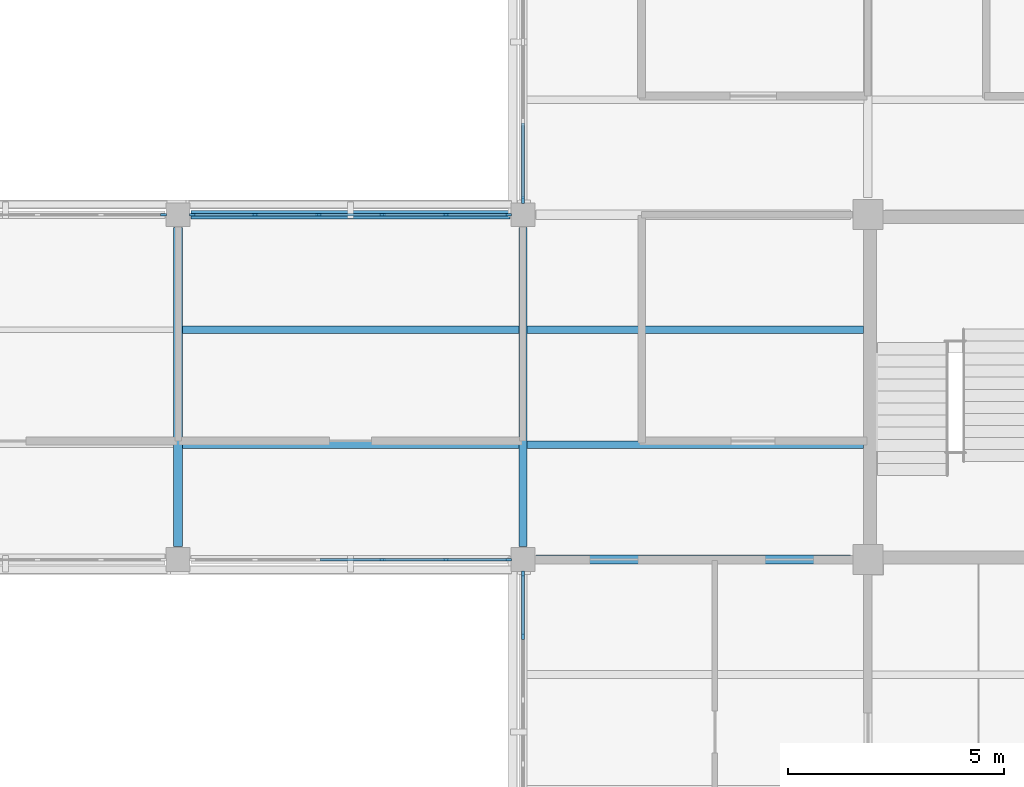
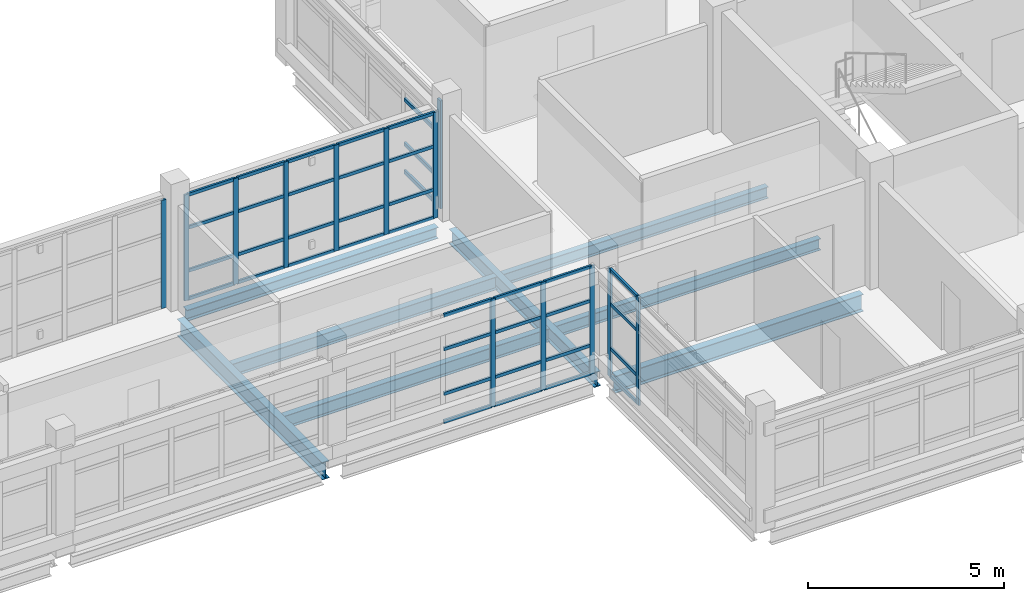
# One storey, part 16 of 107: 52 members, 8 beams, 5 elements without a shape of their own.
"""IFC4 building model written with IfcOpenShell, lengths in metres."""

from ifc_helpers import new_model, si_unit, derived_unit, direction, frame, origin, origin_2d, place, context, subcontext, project, spatial, rectangle, i_section, extrude, material, layer, layer_set, material_profile, profile_set, type_object, element, aggregate, save


model = new_model("IFC4")

# Units and contexts
model_context = context("Model", 3, precision=1e-05, world=origin(), true_north=direction((0.0, 1.0)))
body_context = subcontext(model_context, "Body", "Model", "MODEL_VIEW")
ifc_project = project(units=[si_unit("LENGTHUNIT", "METRE"), si_unit("AREAUNIT", "SQUARE_METRE"), si_unit("VOLUMEUNIT", "CUBIC_METRE"), si_unit("PLANEANGLEUNIT", "RADIAN"), si_unit("MASSUNIT", "GRAM", prefix="KILO"), derived_unit("THERMALTRANSMITTANCEUNIT", [(si_unit("MASSUNIT", "GRAM", prefix="KILO"), 1), (si_unit("TIMEUNIT", "SECOND"), -3), (si_unit("THERMODYNAMICTEMPERATUREUNIT", "KELVIN"), -1)])], contexts=[model_context])

# Site, building, storey
site_placement = place(None, origin())
site = spatial("IfcSite", under=ifc_project, at=site_placement, CompositionType="ELEMENT")
building_placement = place(site_placement, origin())
building = spatial("IfcBuilding", under=site, at=building_placement, Name="Veyamyaing Civic Hall", CompositionType="ELEMENT")
storey_placement = place(building_placement, frame((0.0, 0.0, 13.860107421875)))
storey = spatial("IfcBuildingStorey", under=building, at=storey_placement, Name="L03", CompositionType="ELEMENT", Elevation=13.860107421875)

# Beams
ifc_material_1 = material(Name="Steel ASTM A992", Category="steel")
ifc_material_profile_1 = material_profile(ifc_material_1, i_section(OverallWidth=0.208984375, OverallDepth=0.532958984375, WebThickness=0.01025390625, FlangeThickness=0.015625, FilletRadius=0.011962890625, at=origin_2d()), Name="W530X92")
ifc_profile_set_1 = profile_set([ifc_material_profile_1], Name="Steel ASTM A992")
beam_type_1 = type_object("IfcBeamType", Name="B-07", PredefinedType="BEAM", material=ifc_profile_set_1)
beam_1_placement = place(storey_placement, frame((56.300048828125, 48.0, -0.521728515625), z_axis=(1.0, 0.0, 0.0), x_axis=(0.0, 1.0, 0.0)))
element("IfcBeam", 1, at=beam_1_placement, inside=storey, type_object=beam_type_1, Name="Girder B-07 L03 Grid G 8-9", PredefinedType="BEAM", context=body_context, shape_type="SweptSolid", body=[
    extrude(i_section(OverallWidth=0.208984375, OverallDepth=0.532958984375, WebThickness=0.01025390625, FlangeThickness=0.015625, FilletRadius=0.011962890625, at=origin_2d()), origin(), (0.0, 0.0, 1.0), 7.300048828125),
])
beam_2_placement = place(storey_placement, frame((48.0, 48.300048828125, -0.521728515625), z_axis=(0.0, 1.0, 0.0), x_axis=(-1.0, 0.0, 0.0)))
element("IfcBeam", 2, at=beam_2_placement, inside=storey, type_object=beam_type_1, Name="Girder B-07 L03 Grid 7 G-H", PredefinedType="BEAM", context=body_context, shape_type="SweptSolid", body=[
    extrude(i_section(OverallWidth=0.208984375, OverallDepth=0.532958984375, WebThickness=0.01025390625, FlangeThickness=0.015625, FilletRadius=0.011962890625, at=origin_2d()), origin(), (0.0, 0.0, 1.0), 7.39990234375),
])
ifc_material_profile_2 = material_profile(ifc_material_1, i_section(OverallWidth=0.19189453125, OverallDepth=0.462890625, WebThickness=0.010498046875, FlangeThickness=0.017578125, FilletRadius=0.010009765625, at=origin_2d()), Name="W460X89")
ifc_profile_set_2 = profile_set([ifc_material_profile_2], Name="Steel ASTM A992")
beam_type_2 = type_object("IfcBeamType", Name="B-08", PredefinedType="BEAM", material=ifc_profile_set_2)
beam_3_placement = place(storey_placement, frame((56.0, 48.300048828125, -0.486572265625), z_axis=(0.0, 1.0, 0.0), x_axis=(-1.0, 0.0, 0.0)))
element("IfcBeam", 3, at=beam_3_placement, inside=storey, type_object=beam_type_2, Name="Girder B-08 L03 Grid 8 G-H", PredefinedType="BEAM", context=body_context, shape_type="SweptSolid", body=[
    extrude(i_section(OverallWidth=0.19189453125, OverallDepth=0.462890625, WebThickness=0.010498046875, FlangeThickness=0.017578125, FilletRadius=0.010009765625, at=origin_2d()), origin(), (0.0, 0.0, 1.0), 7.39990234375),
])
ifc_material_profile_3 = material_profile(ifc_material_1, i_section(OverallWidth=0.2041015625, OverallDepth=0.35009765625, WebThickness=0.0078125, FlangeThickness=0.01513671875, FilletRadius=0.010009765625, at=origin_2d()), Name="W360X72")
ifc_profile_set_3 = profile_set([ifc_material_profile_3], Name="Steel ASTM A992")
beam_type_3 = type_object("IfcBeamType", Name="B-11", PredefinedType="SPANDREL", material=ifc_profile_set_3)
beam_4_placement = place(storey_placement, frame((48.300048828125, 56.0, -0.43017578125), z_axis=(1.0, 0.0, 0.0), x_axis=(0.0, 1.0, 0.0)))
element("IfcBeam", 4, at=beam_4_placement, inside=storey, type_object=beam_type_3, Name="Girder B-11 L03 Grid H 7-8", PredefinedType="SPANDREL", context=body_context, shape_type="SweptSolid", body=[
    extrude(i_section(OverallWidth=0.2041015625, OverallDepth=0.35009765625, WebThickness=0.0078125, FlangeThickness=0.01513671875, FilletRadius=0.010009765625, at=origin_2d()), origin(), (0.0, 0.0, 1.0), 7.39990234375),
])

# Curtain wall, member
ifc_material_2 = material(Name="Anodised aluminium 6063-T6", Category="aluminium")
ifc_layer_1 = layer(ifc_material_2, 0.159912109375, Name="Anodised aluminium 6063-T6")
ifc_layer_set_1 = layer_set([ifc_layer_1], Name="Anodised aluminium 6063-T6")
curtain_wall_type_1 = type_object("IfcCurtainWallType", Name="CW-07", PredefinedType="NOTDEFINED", material=ifc_layer_set_1)
curtain_wall_1_placement = place(storey_placement, origin())
curtain_wall_1 = element("IfcCurtainWall", 5, at=curtain_wall_1_placement, inside=storey, type_object=curtain_wall_type_1, Name="Unitized curtain wall CW-07 L03 W 8.8", PredefinedType="NOTDEFINED")
ifc_material_profile_4 = material_profile(ifc_material_2, rectangle(XDim=0.06494140625, YDim=0.159912109375, at=origin_2d()), Name="ALU-MUL-65X160")
ifc_profile_set_4 = profile_set([ifc_material_profile_4], Name="Anodised aluminium 6063-T6")
member_type_1 = type_object("IfcMemberType", Name="CWM-01", PredefinedType="MULLION", material=ifc_profile_set_4)
member_1_placement = place(storey_placement, frame((56.0, 56.33740234375, 0.0), z_axis=(0.0, 0.0, 1.0), x_axis=(-1.0, 0.0, 0.0)))
member_1 = element("IfcMember", 6, at=member_1_placement, type_object=member_type_1, Name="CW-07 mullion 1", PredefinedType="MULLION", context=body_context, shape_type="SweptSolid", body=[
    extrude(rectangle(XDim=0.06494140625, YDim=0.159912109375, at=origin_2d()), origin(), (0.0, 0.0, 1.0), 3.364013671875),
])

ifc_layer_2 = layer(ifc_material_2, 0.139892578125, Name="Anodised aluminium 6063-T6")
ifc_layer_set_2 = layer_set([ifc_layer_2], Name="Anodised aluminium 6063-T6")
curtain_wall_type_2 = type_object("IfcCurtainWallType", Name="CW-04", PredefinedType="NOTDEFINED", material=ifc_layer_set_2)
curtain_wall_2_placement = place(storey_placement, origin())
curtain_wall_2 = element("IfcCurtainWall", 7, at=curtain_wall_2_placement, inside=storey, type_object=curtain_wall_type_2, Name="Unitized curtain wall CW-04 L03 N 6.7", PredefinedType="NOTDEFINED")
ifc_material_profile_5 = material_profile(ifc_material_2, rectangle(XDim=0.06005859375, YDim=0.139892578125, at=origin_2d()), Name="ALU-MUL-60X140")
ifc_profile_set_5 = profile_set([ifc_material_profile_5], Name="Anodised aluminium 6063-T6")
member_type_2 = type_object("IfcMemberType", Name="CWM-03", PredefinedType="MULLION", material=ifc_profile_set_5)
member_2_placement = place(storey_placement, frame((47.6650390625, 56.0, 0.0), z_axis=(0.0, 0.0, 1.0), x_axis=(0.0, 1.0, 0.0)))
member_2 = element("IfcMember", 8, at=member_2_placement, type_object=member_type_2, Name="CW-04 mullion 6", PredefinedType="MULLION", context=body_context, shape_type="SweptSolid", body=[
    extrude(rectangle(XDim=0.06005859375, YDim=0.139892578125, at=origin_2d()), origin(), (0.0, 0.0, 1.0), 3.366943359375),
])
aggregate(curtain_wall_2, [member_2])

# Curtain wall, members
curtain_wall_3_placement = place(storey_placement, origin())
curtain_wall_3 = element("IfcCurtainWall", 9, at=curtain_wall_3_placement, inside=storey, type_object=curtain_wall_type_2, Name="Unitized curtain wall CW-04 L03 S 7.7", PredefinedType="NOTDEFINED")
member_3_placement = place(storey_placement, frame((52.739013671875, 48.0, 0.0), z_axis=(0.0, 0.0, 1.0), x_axis=(0.0, 1.0, 0.0)))
member_3 = element("IfcMember", 10, at=member_3_placement, type_object=member_type_2, Name="CW-04 mullion 4", PredefinedType="MULLION", context=body_context, shape_type="SweptSolid", body=[
    extrude(rectangle(XDim=0.06005859375, YDim=0.139892578125, at=origin_2d()), origin(), (0.0, 0.0, 1.0), 3.366943359375),
])
member_4_placement = place(storey_placement, frame((54.217041015625, 48.0, 0.0), z_axis=(0.0, 0.0, 1.0), x_axis=(0.0, 1.0, 0.0)))
member_4 = element("IfcMember", 11, at=member_4_placement, type_object=member_type_2, Name="CW-04 mullion 5", PredefinedType="MULLION", context=body_context, shape_type="SweptSolid", body=[
    extrude(rectangle(XDim=0.06005859375, YDim=0.139892578125, at=origin_2d()), origin(), (0.0, 0.0, 1.0), 3.366943359375),
])
member_5_placement = place(storey_placement, frame((55.6650390625, 48.0, 0.0), z_axis=(0.0, 0.0, 1.0), x_axis=(0.0, 1.0, 0.0)))
member_5 = element("IfcMember", 12, at=member_5_placement, type_object=member_type_2, Name="CW-04 mullion 6", PredefinedType="MULLION", context=body_context, shape_type="SweptSolid", body=[
    extrude(rectangle(XDim=0.06005859375, YDim=0.139892578125, at=origin_2d()), origin(), (0.0, 0.0, 1.0), 3.366943359375),
])

curtain_wall_4_placement = place(storey_placement, origin())
curtain_wall_4 = element("IfcCurtainWall", 13, at=curtain_wall_4_placement, inside=storey, type_object=curtain_wall_type_2, Name="Unitized curtain wall CW-04 L03 N 7.7", PredefinedType="NOTDEFINED")
member_6_placement = place(storey_placement, frame((48.3349609375, 56.0, 0.0), z_axis=(0.0, 0.0, 1.0), x_axis=(0.0, 1.0, 0.0)))
member_6 = element("IfcMember", 14, at=member_6_placement, type_object=member_type_2, Name="CW-04 mullion 1", PredefinedType="MULLION", context=body_context, shape_type="SweptSolid", body=[
    extrude(rectangle(XDim=0.06005859375, YDim=0.139892578125, at=origin_2d()), origin(), (0.0, 0.0, 1.0), 3.2998046875),
])
member_7_placement = place(storey_placement, frame((49.782958984375, 56.0, 0.0), z_axis=(0.0, 0.0, 1.0), x_axis=(0.0, 1.0, 0.0)))
member_7 = element("IfcMember", 15, at=member_7_placement, type_object=member_type_2, Name="CW-04 mullion 2", PredefinedType="MULLION", context=body_context, shape_type="SweptSolid", body=[
    extrude(rectangle(XDim=0.06005859375, YDim=0.139892578125, at=origin_2d()), origin(), (0.0, 0.0, 1.0), 3.2998046875),
])
member_8_placement = place(storey_placement, frame((51.260986328125, 56.0, 0.0), z_axis=(0.0, 0.0, 1.0), x_axis=(0.0, 1.0, 0.0)))
member_8 = element("IfcMember", 16, at=member_8_placement, type_object=member_type_2, Name="CW-04 mullion 3", PredefinedType="MULLION", context=body_context, shape_type="SweptSolid", body=[
    extrude(rectangle(XDim=0.06005859375, YDim=0.139892578125, at=origin_2d()), origin(), (0.0, 0.0, 1.0), 3.2998046875),
])
member_9_placement = place(storey_placement, frame((52.739013671875, 56.0, 0.0), z_axis=(0.0, 0.0, 1.0), x_axis=(0.0, 1.0, 0.0)))
member_9 = element("IfcMember", 17, at=member_9_placement, type_object=member_type_2, Name="CW-04 mullion 4", PredefinedType="MULLION", context=body_context, shape_type="SweptSolid", body=[
    extrude(rectangle(XDim=0.06005859375, YDim=0.139892578125, at=origin_2d()), origin(), (0.0, 0.0, 1.0), 3.2998046875),
])
member_10_placement = place(storey_placement, frame((54.217041015625, 56.0, 0.0), z_axis=(0.0, 0.0, 1.0), x_axis=(0.0, 1.0, 0.0)))
member_10 = element("IfcMember", 18, at=member_10_placement, type_object=member_type_2, Name="CW-04 mullion 5", PredefinedType="MULLION", context=body_context, shape_type="SweptSolid", body=[
    extrude(rectangle(XDim=0.06005859375, YDim=0.139892578125, at=origin_2d()), origin(), (0.0, 0.0, 1.0), 3.2998046875),
])
member_11_placement = place(storey_placement, frame((55.6650390625, 56.0, 0.0), z_axis=(0.0, 0.0, 1.0), x_axis=(0.0, 1.0, 0.0)))
member_11 = element("IfcMember", 19, at=member_11_placement, type_object=member_type_2, Name="CW-04 mullion 6", PredefinedType="MULLION", context=body_context, shape_type="SweptSolid", body=[
    extrude(rectangle(XDim=0.06005859375, YDim=0.139892578125, at=origin_2d()), origin(), (0.0, 0.0, 1.0), 3.2998046875),
])

curtain_wall_5_placement = place(storey_placement, origin())
curtain_wall_5 = element("IfcCurtainWall", 20, at=curtain_wall_5_placement, inside=storey, type_object=curtain_wall_type_2, Name="Unitized curtain wall CW-04 L03 W 8.6", PredefinedType="NOTDEFINED")
member_12_placement = place(storey_placement, frame((56.0, 46.217041015625, 0.0), z_axis=(0.0, 0.0, 1.0), x_axis=(-1.0, 0.0, 0.0)))
member_12 = element("IfcMember", 21, at=member_12_placement, type_object=member_type_2, Name="CW-04 mullion 5", PredefinedType="MULLION", context=body_context, shape_type="SweptSolid", body=[
    extrude(rectangle(XDim=0.06005859375, YDim=0.139892578125, at=origin_2d()), origin(), (0.0, 0.0, 1.0), 3.366943359375),
])
member_13_placement = place(storey_placement, frame((56.0, 47.6650390625, 0.0), z_axis=(0.0, 0.0, 1.0), x_axis=(-1.0, 0.0, 0.0)))
member_13 = element("IfcMember", 22, at=member_13_placement, type_object=member_type_2, Name="CW-04 mullion 6", PredefinedType="MULLION", context=body_context, shape_type="SweptSolid", body=[
    extrude(rectangle(XDim=0.06005859375, YDim=0.139892578125, at=origin_2d()), origin(), (0.0, 0.0, 1.0), 3.366943359375),
])

# Member
ifc_material_profile_6 = material_profile(ifc_material_2, rectangle(XDim=0.06494140625, YDim=0.1201171875, at=origin_2d()), Name="ALU-TRN-65X120")
ifc_profile_set_6 = profile_set([ifc_material_profile_6], Name="Anodised aluminium 6063-T6")
member_type_3 = type_object("IfcMemberType", Name="CWT-01", PredefinedType="USERDEFINED", material=ifc_profile_set_6)
member_14_placement = place(storey_placement, frame((56.0, 56.3701171875, 0.032470703125), z_axis=(0.0, 1.0, 0.0), x_axis=(-1.0, 0.0, 0.0)))
member_14 = element("IfcMember", 23, at=member_14_placement, type_object=member_type_3, Name="CW-07 transom 1.1", ObjectType="TRANSOM", PredefinedType="USERDEFINED", context=body_context, shape_type="SweptSolid", body=[
    extrude(rectangle(XDim=0.06494140625, YDim=0.1201171875, at=origin_2d()), origin(), (0.0, 0.0, 1.0), 1.75),
])

member_15_placement = place(storey_placement, frame((56.0, 56.3701171875, 0.89990234375), z_axis=(0.0, 1.0, 0.0), x_axis=(-1.0, 0.0, 0.0)))
member_15 = element("IfcMember", 24, at=member_15_placement, type_object=member_type_3, Name="CW-07 transom 1.2", ObjectType="TRANSOM", PredefinedType="USERDEFINED", context=body_context, shape_type="SweptSolid", body=[
    extrude(rectangle(XDim=0.06494140625, YDim=0.1201171875, at=origin_2d()), origin(), (0.0, 0.0, 1.0), 1.75),
])

member_16_placement = place(storey_placement, frame((56.0, 56.3701171875, 2.287353515625), z_axis=(0.0, 1.0, 0.0), x_axis=(-1.0, 0.0, 0.0)))
member_16 = element("IfcMember", 25, at=member_16_placement, type_object=member_type_3, Name="CW-07 transom 1.3", ObjectType="TRANSOM", PredefinedType="USERDEFINED", context=body_context, shape_type="SweptSolid", body=[
    extrude(rectangle(XDim=0.06494140625, YDim=0.1201171875, at=origin_2d()), origin(), (0.0, 0.0, 1.0), 1.75),
])

aggregate(curtain_wall_1, [member_1, member_14, member_15, member_16])

ifc_material_profile_7 = material_profile(ifc_material_2, rectangle(XDim=0.06005859375, YDim=0.10009765625, at=origin_2d()), Name="ALU-TRN-60X100")
ifc_profile_set_7 = profile_set([ifc_material_profile_7], Name="Anodised aluminium 6063-T6")
member_type_4 = type_object("IfcMemberType", Name="CWT-03", PredefinedType="USERDEFINED", material=ifc_profile_set_7)
member_17_placement = place(storey_placement, frame((51.291015625, 48.0, 0.02978515625), z_axis=(1.0, 0.0, 0.0), x_axis=(0.0, 1.0, 0.0)))
member_17 = element("IfcMember", 26, at=member_17_placement, type_object=member_type_4, Name="CW-04 transom 3.1", ObjectType="TRANSOM", PredefinedType="USERDEFINED", context=body_context, shape_type="SweptSolid", body=[
    extrude(rectangle(XDim=0.06005859375, YDim=0.10009765625, at=origin_2d()), origin(), (0.0, 0.0, 1.0), 1.41796875),
])

member_18_placement = place(storey_placement, frame((51.291015625, 48.0, 0.89990234375), z_axis=(1.0, 0.0, 0.0), x_axis=(0.0, 1.0, 0.0)))
member_18 = element("IfcMember", 27, at=member_18_placement, type_object=member_type_4, Name="CW-04 transom 3.2", ObjectType="TRANSOM", PredefinedType="USERDEFINED", context=body_context, shape_type="SweptSolid", body=[
    extrude(rectangle(XDim=0.06005859375, YDim=0.10009765625, at=origin_2d()), origin(), (0.0, 0.0, 1.0), 1.41796875),
])

member_19_placement = place(storey_placement, frame((51.291015625, 48.0, 2.28955078125), z_axis=(1.0, 0.0, 0.0), x_axis=(0.0, 1.0, 0.0)))
member_19 = element("IfcMember", 28, at=member_19_placement, type_object=member_type_4, Name="CW-04 transom 3.3", ObjectType="TRANSOM", PredefinedType="USERDEFINED", context=body_context, shape_type="SweptSolid", body=[
    extrude(rectangle(XDim=0.06005859375, YDim=0.10009765625, at=origin_2d()), origin(), (0.0, 0.0, 1.0), 1.41796875),
])

member_20_placement = place(storey_placement, frame((51.291015625, 48.0, 3.3369140625), z_axis=(1.0, 0.0, 0.0), x_axis=(0.0, 1.0, 0.0)))
member_20 = element("IfcMember", 29, at=member_20_placement, type_object=member_type_4, Name="CW-04 transom 3.4", ObjectType="TRANSOM", PredefinedType="USERDEFINED", context=body_context, shape_type="SweptSolid", body=[
    extrude(rectangle(XDim=0.06005859375, YDim=0.10009765625, at=origin_2d()), origin(), (0.0, 0.0, 1.0), 1.41796875),
])

member_21_placement = place(storey_placement, frame((52.76904296875, 48.0, 0.02978515625), z_axis=(1.0, 0.0, 0.0), x_axis=(0.0, 1.0, 0.0)))
member_21 = element("IfcMember", 30, at=member_21_placement, type_object=member_type_4, Name="CW-04 transom 4.1", ObjectType="TRANSOM", PredefinedType="USERDEFINED", context=body_context, shape_type="SweptSolid", body=[
    extrude(rectangle(XDim=0.06005859375, YDim=0.10009765625, at=origin_2d()), origin(), (0.0, 0.0, 1.0), 1.41796875),
])

member_22_placement = place(storey_placement, frame((52.76904296875, 48.0, 0.89990234375), z_axis=(1.0, 0.0, 0.0), x_axis=(0.0, 1.0, 0.0)))
member_22 = element("IfcMember", 31, at=member_22_placement, type_object=member_type_4, Name="CW-04 transom 4.2", ObjectType="TRANSOM", PredefinedType="USERDEFINED", context=body_context, shape_type="SweptSolid", body=[
    extrude(rectangle(XDim=0.06005859375, YDim=0.10009765625, at=origin_2d()), origin(), (0.0, 0.0, 1.0), 1.41796875),
])

member_23_placement = place(storey_placement, frame((52.76904296875, 48.0, 2.28955078125), z_axis=(1.0, 0.0, 0.0), x_axis=(0.0, 1.0, 0.0)))
member_23 = element("IfcMember", 32, at=member_23_placement, type_object=member_type_4, Name="CW-04 transom 4.3", ObjectType="TRANSOM", PredefinedType="USERDEFINED", context=body_context, shape_type="SweptSolid", body=[
    extrude(rectangle(XDim=0.06005859375, YDim=0.10009765625, at=origin_2d()), origin(), (0.0, 0.0, 1.0), 1.41796875),
])

member_24_placement = place(storey_placement, frame((52.76904296875, 48.0, 3.3369140625), z_axis=(1.0, 0.0, 0.0), x_axis=(0.0, 1.0, 0.0)))
member_24 = element("IfcMember", 33, at=member_24_placement, type_object=member_type_4, Name="CW-04 transom 4.4", ObjectType="TRANSOM", PredefinedType="USERDEFINED", context=body_context, shape_type="SweptSolid", body=[
    extrude(rectangle(XDim=0.06005859375, YDim=0.10009765625, at=origin_2d()), origin(), (0.0, 0.0, 1.0), 1.41796875),
])

member_25_placement = place(storey_placement, frame((54.2470703125, 48.0, 0.02978515625), z_axis=(1.0, 0.0, 0.0), x_axis=(0.0, 1.0, 0.0)))
member_25 = element("IfcMember", 34, at=member_25_placement, type_object=member_type_4, Name="CW-04 transom 5.1", ObjectType="TRANSOM", PredefinedType="USERDEFINED", context=body_context, shape_type="SweptSolid", body=[
    extrude(rectangle(XDim=0.06005859375, YDim=0.10009765625, at=origin_2d()), origin(), (0.0, 0.0, 1.0), 1.387939453125),
])

member_26_placement = place(storey_placement, frame((54.2470703125, 48.0, 0.89990234375), z_axis=(1.0, 0.0, 0.0), x_axis=(0.0, 1.0, 0.0)))
member_26 = element("IfcMember", 35, at=member_26_placement, type_object=member_type_4, Name="CW-04 transom 5.2", ObjectType="TRANSOM", PredefinedType="USERDEFINED", context=body_context, shape_type="SweptSolid", body=[
    extrude(rectangle(XDim=0.06005859375, YDim=0.10009765625, at=origin_2d()), origin(), (0.0, 0.0, 1.0), 1.387939453125),
])

member_27_placement = place(storey_placement, frame((54.2470703125, 48.0, 2.28955078125), z_axis=(1.0, 0.0, 0.0), x_axis=(0.0, 1.0, 0.0)))
member_27 = element("IfcMember", 36, at=member_27_placement, type_object=member_type_4, Name="CW-04 transom 5.3", ObjectType="TRANSOM", PredefinedType="USERDEFINED", context=body_context, shape_type="SweptSolid", body=[
    extrude(rectangle(XDim=0.06005859375, YDim=0.10009765625, at=origin_2d()), origin(), (0.0, 0.0, 1.0), 1.387939453125),
])

member_28_placement = place(storey_placement, frame((54.2470703125, 48.0, 3.3369140625), z_axis=(1.0, 0.0, 0.0), x_axis=(0.0, 1.0, 0.0)))
member_28 = element("IfcMember", 37, at=member_28_placement, type_object=member_type_4, Name="CW-04 transom 5.4", ObjectType="TRANSOM", PredefinedType="USERDEFINED", context=body_context, shape_type="SweptSolid", body=[
    extrude(rectangle(XDim=0.06005859375, YDim=0.10009765625, at=origin_2d()), origin(), (0.0, 0.0, 1.0), 1.387939453125),
])

aggregate(curtain_wall_3, [member_3, member_4, member_5, member_17, member_18, member_19, member_20, member_21, member_22, member_23, member_24, member_25, member_26, member_27, member_28])

member_29_placement = place(storey_placement, frame((48.364990234375, 56.0, 0.02978515625), z_axis=(1.0, 0.0, 0.0), x_axis=(0.0, 1.0, 0.0)))
member_29 = element("IfcMember", 38, at=member_29_placement, type_object=member_type_4, Name="CW-04 transom 1.1", ObjectType="TRANSOM", PredefinedType="USERDEFINED", context=body_context, shape_type="SweptSolid", body=[
    extrude(rectangle(XDim=0.06005859375, YDim=0.10009765625, at=origin_2d()), origin(), (0.0, 0.0, 1.0), 1.387939453125),
])

member_30_placement = place(storey_placement, frame((48.364990234375, 56.0, 0.89990234375), z_axis=(1.0, 0.0, 0.0), x_axis=(0.0, 1.0, 0.0)))
member_30 = element("IfcMember", 39, at=member_30_placement, type_object=member_type_4, Name="CW-04 transom 1.2", ObjectType="TRANSOM", PredefinedType="USERDEFINED", context=body_context, shape_type="SweptSolid", body=[
    extrude(rectangle(XDim=0.06005859375, YDim=0.10009765625, at=origin_2d()), origin(), (0.0, 0.0, 1.0), 1.387939453125),
])

member_31_placement = place(storey_placement, frame((48.364990234375, 56.0, 2.243896484375), z_axis=(1.0, 0.0, 0.0), x_axis=(0.0, 1.0, 0.0)))
member_31 = element("IfcMember", 40, at=member_31_placement, type_object=member_type_4, Name="CW-04 transom 1.3", ObjectType="TRANSOM", PredefinedType="USERDEFINED", context=body_context, shape_type="SweptSolid", body=[
    extrude(rectangle(XDim=0.06005859375, YDim=0.10009765625, at=origin_2d()), origin(), (0.0, 0.0, 1.0), 1.387939453125),
])

member_32_placement = place(storey_placement, frame((48.364990234375, 56.0, 3.269775390625), z_axis=(1.0, 0.0, 0.0), x_axis=(0.0, 1.0, 0.0)))
member_32 = element("IfcMember", 41, at=member_32_placement, type_object=member_type_4, Name="CW-04 transom 1.4", ObjectType="TRANSOM", PredefinedType="USERDEFINED", context=body_context, shape_type="SweptSolid", body=[
    extrude(rectangle(XDim=0.06005859375, YDim=0.10009765625, at=origin_2d()), origin(), (0.0, 0.0, 1.0), 1.387939453125),
])

member_33_placement = place(storey_placement, frame((49.81298828125, 56.0, 0.02978515625), z_axis=(1.0, 0.0, 0.0), x_axis=(0.0, 1.0, 0.0)))
member_33 = element("IfcMember", 42, at=member_33_placement, type_object=member_type_4, Name="CW-04 transom 2.1", ObjectType="TRANSOM", PredefinedType="USERDEFINED", context=body_context, shape_type="SweptSolid", body=[
    extrude(rectangle(XDim=0.06005859375, YDim=0.10009765625, at=origin_2d()), origin(), (0.0, 0.0, 1.0), 1.41796875),
])

member_34_placement = place(storey_placement, frame((49.81298828125, 56.0, 0.89990234375), z_axis=(1.0, 0.0, 0.0), x_axis=(0.0, 1.0, 0.0)))
member_34 = element("IfcMember", 43, at=member_34_placement, type_object=member_type_4, Name="CW-04 transom 2.2", ObjectType="TRANSOM", PredefinedType="USERDEFINED", context=body_context, shape_type="SweptSolid", body=[
    extrude(rectangle(XDim=0.06005859375, YDim=0.10009765625, at=origin_2d()), origin(), (0.0, 0.0, 1.0), 1.41796875),
])

member_35_placement = place(storey_placement, frame((49.81298828125, 56.0, 2.243896484375), z_axis=(1.0, 0.0, 0.0), x_axis=(0.0, 1.0, 0.0)))
member_35 = element("IfcMember", 44, at=member_35_placement, type_object=member_type_4, Name="CW-04 transom 2.3", ObjectType="TRANSOM", PredefinedType="USERDEFINED", context=body_context, shape_type="SweptSolid", body=[
    extrude(rectangle(XDim=0.06005859375, YDim=0.10009765625, at=origin_2d()), origin(), (0.0, 0.0, 1.0), 1.41796875),
])

member_36_placement = place(storey_placement, frame((49.81298828125, 56.0, 3.269775390625), z_axis=(1.0, 0.0, 0.0), x_axis=(0.0, 1.0, 0.0)))
member_36 = element("IfcMember", 45, at=member_36_placement, type_object=member_type_4, Name="CW-04 transom 2.4", ObjectType="TRANSOM", PredefinedType="USERDEFINED", context=body_context, shape_type="SweptSolid", body=[
    extrude(rectangle(XDim=0.06005859375, YDim=0.10009765625, at=origin_2d()), origin(), (0.0, 0.0, 1.0), 1.41796875),
])

member_37_placement = place(storey_placement, frame((51.291015625, 56.0, 0.02978515625), z_axis=(1.0, 0.0, 0.0), x_axis=(0.0, 1.0, 0.0)))
member_37 = element("IfcMember", 46, at=member_37_placement, type_object=member_type_4, Name="CW-04 transom 3.1", ObjectType="TRANSOM", PredefinedType="USERDEFINED", context=body_context, shape_type="SweptSolid", body=[
    extrude(rectangle(XDim=0.06005859375, YDim=0.10009765625, at=origin_2d()), origin(), (0.0, 0.0, 1.0), 1.41796875),
])

member_38_placement = place(storey_placement, frame((51.291015625, 56.0, 0.89990234375), z_axis=(1.0, 0.0, 0.0), x_axis=(0.0, 1.0, 0.0)))
member_38 = element("IfcMember", 47, at=member_38_placement, type_object=member_type_4, Name="CW-04 transom 3.2", ObjectType="TRANSOM", PredefinedType="USERDEFINED", context=body_context, shape_type="SweptSolid", body=[
    extrude(rectangle(XDim=0.06005859375, YDim=0.10009765625, at=origin_2d()), origin(), (0.0, 0.0, 1.0), 1.41796875),
])

member_39_placement = place(storey_placement, frame((51.291015625, 56.0, 2.243896484375), z_axis=(1.0, 0.0, 0.0), x_axis=(0.0, 1.0, 0.0)))
member_39 = element("IfcMember", 48, at=member_39_placement, type_object=member_type_4, Name="CW-04 transom 3.3", ObjectType="TRANSOM", PredefinedType="USERDEFINED", context=body_context, shape_type="SweptSolid", body=[
    extrude(rectangle(XDim=0.06005859375, YDim=0.10009765625, at=origin_2d()), origin(), (0.0, 0.0, 1.0), 1.41796875),
])

member_40_placement = place(storey_placement, frame((51.291015625, 56.0, 3.269775390625), z_axis=(1.0, 0.0, 0.0), x_axis=(0.0, 1.0, 0.0)))
member_40 = element("IfcMember", 49, at=member_40_placement, type_object=member_type_4, Name="CW-04 transom 3.4", ObjectType="TRANSOM", PredefinedType="USERDEFINED", context=body_context, shape_type="SweptSolid", body=[
    extrude(rectangle(XDim=0.06005859375, YDim=0.10009765625, at=origin_2d()), origin(), (0.0, 0.0, 1.0), 1.41796875),
])

member_41_placement = place(storey_placement, frame((52.76904296875, 56.0, 0.02978515625), z_axis=(1.0, 0.0, 0.0), x_axis=(0.0, 1.0, 0.0)))
member_41 = element("IfcMember", 50, at=member_41_placement, type_object=member_type_4, Name="CW-04 transom 4.1", ObjectType="TRANSOM", PredefinedType="USERDEFINED", context=body_context, shape_type="SweptSolid", body=[
    extrude(rectangle(XDim=0.06005859375, YDim=0.10009765625, at=origin_2d()), origin(), (0.0, 0.0, 1.0), 1.41796875),
])

member_42_placement = place(storey_placement, frame((52.76904296875, 56.0, 0.89990234375), z_axis=(1.0, 0.0, 0.0), x_axis=(0.0, 1.0, 0.0)))
member_42 = element("IfcMember", 51, at=member_42_placement, type_object=member_type_4, Name="CW-04 transom 4.2", ObjectType="TRANSOM", PredefinedType="USERDEFINED", context=body_context, shape_type="SweptSolid", body=[
    extrude(rectangle(XDim=0.06005859375, YDim=0.10009765625, at=origin_2d()), origin(), (0.0, 0.0, 1.0), 1.41796875),
])

member_43_placement = place(storey_placement, frame((52.76904296875, 56.0, 2.243896484375), z_axis=(1.0, 0.0, 0.0), x_axis=(0.0, 1.0, 0.0)))
member_43 = element("IfcMember", 52, at=member_43_placement, type_object=member_type_4, Name="CW-04 transom 4.3", ObjectType="TRANSOM", PredefinedType="USERDEFINED", context=body_context, shape_type="SweptSolid", body=[
    extrude(rectangle(XDim=0.06005859375, YDim=0.10009765625, at=origin_2d()), origin(), (0.0, 0.0, 1.0), 1.41796875),
])

member_44_placement = place(storey_placement, frame((52.76904296875, 56.0, 3.269775390625), z_axis=(1.0, 0.0, 0.0), x_axis=(0.0, 1.0, 0.0)))
member_44 = element("IfcMember", 53, at=member_44_placement, type_object=member_type_4, Name="CW-04 transom 4.4", ObjectType="TRANSOM", PredefinedType="USERDEFINED", context=body_context, shape_type="SweptSolid", body=[
    extrude(rectangle(XDim=0.06005859375, YDim=0.10009765625, at=origin_2d()), origin(), (0.0, 0.0, 1.0), 1.41796875),
])

member_45_placement = place(storey_placement, frame((54.2470703125, 56.0, 0.02978515625), z_axis=(1.0, 0.0, 0.0), x_axis=(0.0, 1.0, 0.0)))
member_45 = element("IfcMember", 54, at=member_45_placement, type_object=member_type_4, Name="CW-04 transom 5.1", ObjectType="TRANSOM", PredefinedType="USERDEFINED", context=body_context, shape_type="SweptSolid", body=[
    extrude(rectangle(XDim=0.06005859375, YDim=0.10009765625, at=origin_2d()), origin(), (0.0, 0.0, 1.0), 1.387939453125),
])

member_46_placement = place(storey_placement, frame((54.2470703125, 56.0, 0.89990234375), z_axis=(1.0, 0.0, 0.0), x_axis=(0.0, 1.0, 0.0)))
member_46 = element("IfcMember", 55, at=member_46_placement, type_object=member_type_4, Name="CW-04 transom 5.2", ObjectType="TRANSOM", PredefinedType="USERDEFINED", context=body_context, shape_type="SweptSolid", body=[
    extrude(rectangle(XDim=0.06005859375, YDim=0.10009765625, at=origin_2d()), origin(), (0.0, 0.0, 1.0), 1.387939453125),
])

member_47_placement = place(storey_placement, frame((54.2470703125, 56.0, 2.243896484375), z_axis=(1.0, 0.0, 0.0), x_axis=(0.0, 1.0, 0.0)))
member_47 = element("IfcMember", 56, at=member_47_placement, type_object=member_type_4, Name="CW-04 transom 5.3", ObjectType="TRANSOM", PredefinedType="USERDEFINED", context=body_context, shape_type="SweptSolid", body=[
    extrude(rectangle(XDim=0.06005859375, YDim=0.10009765625, at=origin_2d()), origin(), (0.0, 0.0, 1.0), 1.387939453125),
])

member_48_placement = place(storey_placement, frame((54.2470703125, 56.0, 3.269775390625), z_axis=(1.0, 0.0, 0.0), x_axis=(0.0, 1.0, 0.0)))
member_48 = element("IfcMember", 57, at=member_48_placement, type_object=member_type_4, Name="CW-04 transom 5.4", ObjectType="TRANSOM", PredefinedType="USERDEFINED", context=body_context, shape_type="SweptSolid", body=[
    extrude(rectangle(XDim=0.06005859375, YDim=0.10009765625, at=origin_2d()), origin(), (0.0, 0.0, 1.0), 1.387939453125),
])

aggregate(curtain_wall_4, [member_6, member_7, member_8, member_9, member_10, member_11, member_29, member_30, member_31, member_32, member_33, member_34, member_35, member_36, member_37, member_38, member_39, member_40, member_41, member_42, member_43, member_44, member_45, member_46, member_47, member_48])

member_49_placement = place(storey_placement, frame((56.0, 46.2470703125, 0.02978515625), z_axis=(0.0, 1.0, 0.0), x_axis=(-1.0, 0.0, 0.0)))
member_49 = element("IfcMember", 58, at=member_49_placement, type_object=member_type_4, Name="CW-04 transom 5.1", ObjectType="TRANSOM", PredefinedType="USERDEFINED", context=body_context, shape_type="SweptSolid", body=[
    extrude(rectangle(XDim=0.06005859375, YDim=0.10009765625, at=origin_2d()), origin(), (0.0, 0.0, 1.0), 1.387939453125),
])

member_50_placement = place(storey_placement, frame((56.0, 46.2470703125, 0.89990234375), z_axis=(0.0, 1.0, 0.0), x_axis=(-1.0, 0.0, 0.0)))
member_50 = element("IfcMember", 59, at=member_50_placement, type_object=member_type_4, Name="CW-04 transom 5.2", ObjectType="TRANSOM", PredefinedType="USERDEFINED", context=body_context, shape_type="SweptSolid", body=[
    extrude(rectangle(XDim=0.06005859375, YDim=0.10009765625, at=origin_2d()), origin(), (0.0, 0.0, 1.0), 1.387939453125),
])

member_51_placement = place(storey_placement, frame((56.0, 46.2470703125, 2.28955078125), z_axis=(0.0, 1.0, 0.0), x_axis=(-1.0, 0.0, 0.0)))
member_51 = element("IfcMember", 60, at=member_51_placement, type_object=member_type_4, Name="CW-04 transom 5.3", ObjectType="TRANSOM", PredefinedType="USERDEFINED", context=body_context, shape_type="SweptSolid", body=[
    extrude(rectangle(XDim=0.06005859375, YDim=0.10009765625, at=origin_2d()), origin(), (0.0, 0.0, 1.0), 1.387939453125),
])

member_52_placement = place(storey_placement, frame((56.0, 46.2470703125, 3.3369140625), z_axis=(0.0, 1.0, 0.0), x_axis=(-1.0, 0.0, 0.0)))
member_52 = element("IfcMember", 61, at=member_52_placement, type_object=member_type_4, Name="CW-04 transom 5.4", ObjectType="TRANSOM", PredefinedType="USERDEFINED", context=body_context, shape_type="SweptSolid", body=[
    extrude(rectangle(XDim=0.06005859375, YDim=0.10009765625, at=origin_2d()), origin(), (0.0, 0.0, 1.0), 1.387939453125),
])

aggregate(curtain_wall_5, [member_12, member_13, member_49, member_50, member_51, member_52])

# Beams
ifc_material_profile_8 = material_profile(ifc_material_1, i_section(OverallWidth=0.177978515625, OverallDepth=0.406982421875, WebThickness=0.0078125, FlangeThickness=0.0126953125, FilletRadius=0.010009765625, at=origin_2d()), Name="W410X60")
ifc_profile_set_8 = profile_set([ifc_material_profile_8], Name="Steel ASTM A992")
beam_type_4 = type_object("IfcBeamType", Name="J-01", PredefinedType="JOIST", material=ifc_profile_set_8)
for number, where, z_axis, x_axis, name in (
    (62, (48.1025390625, 50.666748046875, -0.45849609375), (1.0, 0.0, 0.0), (0.0, 1.0, 0.0), "Composite floor joist J-01 L03 7.7.1"),
    (63, (48.1025390625, 53.333251953125, -0.45849609375), (1.0, 0.0, 0.0), (0.0, 1.0, 0.0), "Composite floor joist J-01 L03 7.7.2"),
):
    element("IfcBeam", number, at=place(storey_placement, frame(where, z_axis=z_axis, x_axis=x_axis)), inside=storey, type_object=beam_type_4, Name=name, PredefinedType="JOIST", context=body_context, shape_type="SweptSolid", body=[
        extrude(i_section(OverallWidth=0.177978515625, OverallDepth=0.406982421875, WebThickness=0.0078125, FlangeThickness=0.0126953125, FilletRadius=0.010009765625, at=origin_2d()), origin(), (0.0, 0.0, 1.0), 7.803466796875),
    ])
ifc_material_profile_9 = material_profile(ifc_material_1, i_section(OverallWidth=0.172119140625, OverallDepth=0.35791015625, WebThickness=0.0078125, FlangeThickness=0.01318359375, FilletRadius=0.010009765625, at=origin_2d()), Name="W360X57")
ifc_profile_set_9 = profile_set([ifc_material_profile_9], Name="Steel ASTM A992")
beam_type_5 = type_object("IfcBeamType", Name="J-02", PredefinedType="JOIST", material=ifc_profile_set_9)
for number, where, z_axis, x_axis, name in (
    (64, (56.093994140625, 50.666748046875, -0.43408203125), (1.0, 0.0, 0.0), (0.0, 1.0, 0.0), "Composite floor joist J-02 L03 8.7.1"),
    (65, (56.093994140625, 53.333251953125, -0.43408203125), (1.0, 0.0, 0.0), (0.0, 1.0, 0.0), "Composite floor joist J-02 L03 8.7.2"),
):
    element("IfcBeam", number, at=place(storey_placement, frame(where, z_axis=z_axis, x_axis=x_axis)), inside=storey, type_object=beam_type_5, Name=name, PredefinedType="JOIST", context=body_context, shape_type="SweptSolid", body=[
        extrude(i_section(OverallWidth=0.172119140625, OverallDepth=0.35791015625, WebThickness=0.0078125, FlangeThickness=0.01318359375, FilletRadius=0.010009765625, at=origin_2d()), origin(), (0.0, 0.0, 1.0), 7.802490234375),
    ])

save(model, "model.ifc")
